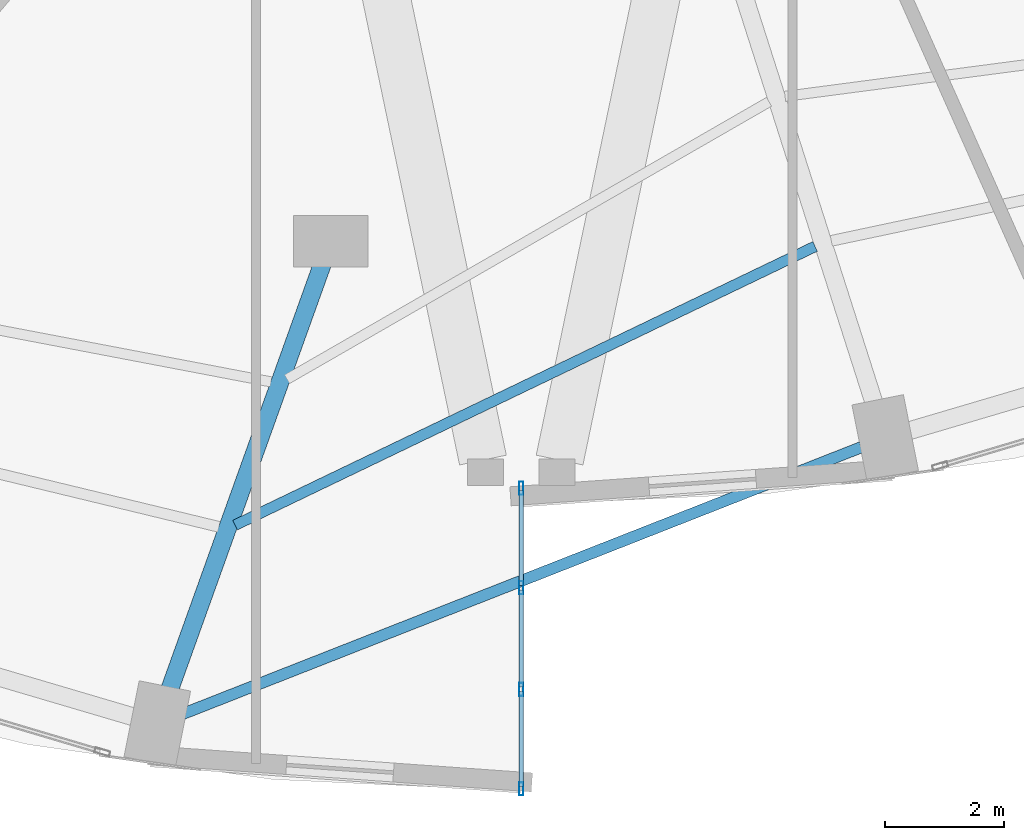
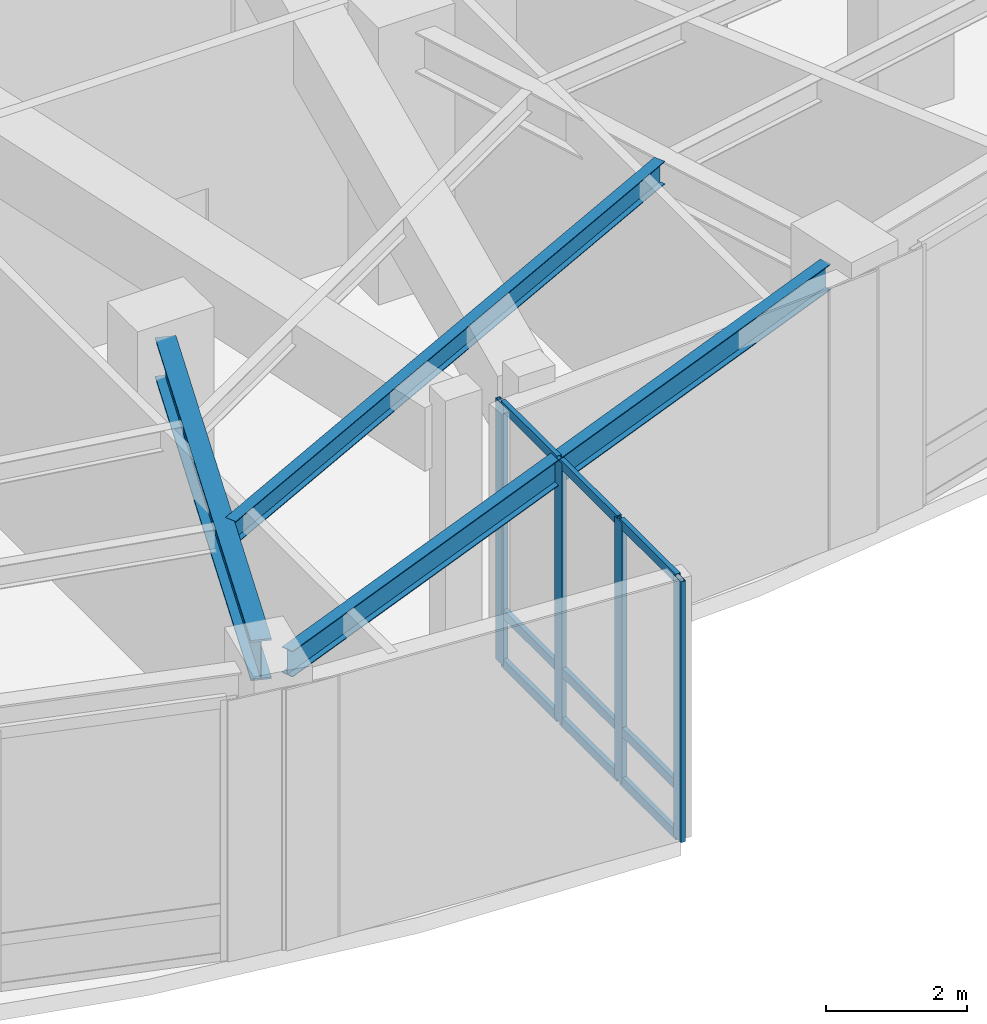
# One storey, part 4 of 24: 13 members, 3 beams, 1 element without a shape of its own.
"""IFC4 building model written with IfcOpenShell, lengths in metres."""

from ifc_helpers import new_model, si_unit, direction, frame, origin, origin_2d, place, context, subcontext, project, spatial, hollow_rectangle, i_section, extrude, material, layer, layer_set, material_profile, profile_set, type_object, element, aggregate, save


model = new_model("IFC4")

# Units and contexts
model_context = context("Model", 3, precision=1e-05, world=origin(), true_north=direction((0.0, 1.0)))
body_context = subcontext(model_context, "Body", "Model", "MODEL_VIEW")
ifc_project = project(units=[si_unit("LENGTHUNIT", "METRE"), si_unit("AREAUNIT", "SQUARE_METRE"), si_unit("VOLUMEUNIT", "CUBIC_METRE"), si_unit("PLANEANGLEUNIT", "RADIAN"), si_unit("MASSUNIT", "GRAM", prefix="KILO")], contexts=[model_context])

# Site, building, storey
site_placement = place(None, origin())
site = spatial("IfcSite", under=ifc_project, at=site_placement, CompositionType="ELEMENT")
building_placement = place(site_placement, origin())
building = spatial("IfcBuilding", under=site, at=building_placement, Name="Lazwardi Medical Tower", CompositionType="ELEMENT")
storey_placement = place(building_placement, frame((0.0, 0.0, 6.0)))
storey = spatial("IfcBuildingStorey", under=building, at=storey_placement, Name="L01", CompositionType="ELEMENT", Elevation=6.0)

# Beams
ifc_material_1 = material(Name="Steel S355", Category="steel")
ifc_material_profile_1 = material_profile(ifc_material_1, i_section(OverallWidth=0.300048828125, OverallDepth=0.699951171875, WebThickness=0.01708984375, FlangeThickness=0.031982421875, at=origin_2d()), Name="HEB 700")
ifc_profile_set_1 = profile_set([ifc_material_profile_1], Name="Steel S355")
beam_type_1 = type_object("IfcBeamType", Name="BM-RG-P1", PredefinedType="BEAM", material=ifc_profile_set_1)
beam_1_placement = place(storey_placement, frame((30.089599609375, 4.2744140625, 4.169921875), z_axis=(0.337851658054, 0.941199371627, 0.0), x_axis=(-0.941199371627, 0.337851658054, 0.0)))
element("IfcBeam", 1, at=beam_1_placement, inside=storey, type_object=beam_type_1, Name="Radial girder RG-01 R16A L01", PredefinedType="BEAM", context=body_context, shape_type="SweptSolid", body=[
    extrude(i_section(OverallWidth=0.300048828125, OverallDepth=0.699951171875, WebThickness=0.01708984375, FlangeThickness=0.031982421875, at=origin_2d()), origin(), (0.0, 0.0, 1.0), 7.622314453125),
])
ifc_material_profile_2 = material_profile(ifc_material_1, i_section(OverallWidth=0.179931640625, OverallDepth=0.39990234375, WebThickness=0.008544921875, FlangeThickness=0.013427734375, at=origin_2d()), Name="IPE 400")
ifc_profile_set_2 = profile_set([ifc_material_profile_2], Name="Steel S355")
beam_type_2 = type_object("IfcBeamType", Name="BM-SJ-01", PredefinedType="JOIST", material=ifc_profile_set_2)
beam_2_placement = place(storey_placement, frame((31.198974609375, 7.0634765625, 4.320068359375), z_axis=(0.901314400899, 0.433165500394, 0.0), x_axis=(-0.433165500394, 0.901314400899, 0.0)))
element("IfcBeam", 2, at=beam_2_placement, inside=storey, type_object=beam_type_2, Name="Secondary joist SJ-01 RO1 B16 L01", PredefinedType="JOIST", context=body_context, shape_type="SweptSolid", body=[
    extrude(i_section(OverallWidth=0.179931640625, OverallDepth=0.39990234375, WebThickness=0.008544921875, FlangeThickness=0.013427734375, at=origin_2d()), origin(), (0.0, 0.0, 1.0), 10.796142578125),
])
ifc_material_profile_3 = material_profile(ifc_material_1, i_section(OverallWidth=0.18994140625, OverallDepth=0.449951171875, WebThickness=0.009521484375, FlangeThickness=0.0146484375, at=origin_2d()), Name="IPE 450")
ifc_profile_set_3 = profile_set([ifc_material_profile_3], Name="Steel S355")
beam_type_3 = type_object("IfcBeamType", Name="BM-SP-01", PredefinedType="SPANDREL", material=ifc_profile_set_3)
beam_3_placement = place(storey_placement, frame((30.2939453125, 3.8857421875, 4.294921875), z_axis=(0.930695337123, 0.365795283536, 0.0), x_axis=(-0.365795283536, 0.930695337123, 0.0)))
element("IfcBeam", 3, at=beam_3_placement, inside=storey, type_object=beam_type_3, Name="Spandrel beam SP-01 B16 L01", PredefinedType="SPANDREL", context=body_context, shape_type="SweptSolid", body=[
    extrude(i_section(OverallWidth=0.18994140625, OverallDepth=0.449951171875, WebThickness=0.009521484375, FlangeThickness=0.0146484375, at=origin_2d()), origin(), (0.0, 0.0, 1.0), 12.261962890625),
])

# Curtain wall, members
ifc_material_2 = material(Name="Anodised bronze aluminium and solar control glazing", Category="aluminium")
ifc_layer = layer(ifc_material_2, 0.2099609375)
ifc_layer_set = layer_set([ifc_layer], Name="Anodised bronze aluminium and solar control glazing")
curtain_wall_type = type_object("IfcCurtainWallType", Name="CW-SYS-06", PredefinedType="NOTDEFINED", material=ifc_layer_set)
curtain_wall_placement = place(storey_placement, origin())
curtain_wall = element("IfcCurtainWall", 4, at=curtain_wall_placement, inside=storey, type_object=curtain_wall_type, Name="L01 Unitised bronze curtain wall CW-06", PredefinedType="NOTDEFINED")
ifc_material_3 = material(Name="Anodised bronze aluminium", Category="aluminium")
ifc_material_profile_4 = material_profile(ifc_material_3, hollow_rectangle(XDim=0.074951171875, YDim=0.219970703125, WallThickness=0.00390625, at=origin_2d()), Name="ALU-MULLION 220x75x4")
ifc_profile_set_4 = profile_set([ifc_material_profile_4], Name="Anodised bronze aluminium")
member_type_1 = type_object("IfcMemberType", Name="CW-MUL-01", PredefinedType="MULLION", material=ifc_profile_set_4)
member_1_placement = place(storey_placement, frame((36.0, 2.637451171875, 0.0), z_axis=(0.0, 0.0, 1.0), x_axis=(-1.0, 0.0, 0.0)))
member_1 = element("IfcMember", 5, at=member_1_placement, type_object=member_type_1, Name="CW-06 mullion 1", PredefinedType="MULLION", context=body_context, shape_type="SweptSolid", body=[
    extrude(hollow_rectangle(XDim=0.074951171875, YDim=0.219970703125, WallThickness=0.00390625, at=origin_2d()), origin(), (0.0, 0.0, 1.0), 4.52001953125),
])
member_2_placement = place(storey_placement, frame((36.0, 4.306640625, 0.0), z_axis=(0.0, 0.0, 1.0), x_axis=(-1.0, 0.0, 0.0)))
member_2 = element("IfcMember", 6, at=member_2_placement, type_object=member_type_1, Name="CW-06 mullion 2", PredefinedType="MULLION", context=body_context, shape_type="SweptSolid", body=[
    extrude(hollow_rectangle(XDim=0.074951171875, YDim=0.219970703125, WallThickness=0.00390625, at=origin_2d()), origin(), (0.0, 0.0, 1.0), 4.52001953125),
])
member_3_placement = place(storey_placement, frame((36.0, 6.013427734375, 0.0), z_axis=(0.0, 0.0, 1.0), x_axis=(-1.0, 0.0, 0.0)))
member_3 = element("IfcMember", 7, at=member_3_placement, type_object=member_type_1, Name="CW-06 mullion 3", PredefinedType="MULLION", context=body_context, shape_type="SweptSolid", body=[
    extrude(hollow_rectangle(XDim=0.074951171875, YDim=0.219970703125, WallThickness=0.00390625, at=origin_2d()), origin(), (0.0, 0.0, 1.0), 4.52001953125),
])
member_4_placement = place(storey_placement, frame((36.0, 7.6826171875, 0.0), z_axis=(0.0, 0.0, 1.0), x_axis=(-1.0, 0.0, 0.0)))
member_4 = element("IfcMember", 8, at=member_4_placement, type_object=member_type_1, Name="CW-06 mullion 4", PredefinedType="MULLION", context=body_context, shape_type="SweptSolid", body=[
    extrude(hollow_rectangle(XDim=0.074951171875, YDim=0.219970703125, WallThickness=0.00390625, at=origin_2d()), origin(), (0.0, 0.0, 1.0), 4.52001953125),
])
ifc_material_profile_5 = material_profile(ifc_material_3, hollow_rectangle(XDim=0.074951171875, YDim=0.159912109375, WallThickness=0.00390625, at=origin_2d()), Name="ALU-TRANSOM 160x75x4")
ifc_profile_set_5 = profile_set([ifc_material_profile_5], Name="Anodised bronze aluminium")
member_type_2 = type_object("IfcMemberType", Name="CW-TRN-01", PredefinedType="USERDEFINED", material=ifc_profile_set_5)
member_5_placement = place(storey_placement, frame((36.0, 2.675048828125, 0.03759765625), z_axis=(0.0, 1.0, 0.0), x_axis=(-1.0, 0.0, 0.0)))
member_5 = element("IfcMember", 9, at=member_5_placement, type_object=member_type_2, Name="CW-06 transom 1.1", ObjectType="TRANSOM", PredefinedType="USERDEFINED", context=body_context, shape_type="SweptSolid", body=[
    extrude(hollow_rectangle(XDim=0.074951171875, YDim=0.159912109375, WallThickness=0.00390625, at=origin_2d()), origin(), (0.0, 0.0, 1.0), 1.59423828125),
])
member_6_placement = place(storey_placement, frame((36.0, 2.675048828125, 0.89990234375), z_axis=(0.0, 1.0, 0.0), x_axis=(-1.0, 0.0, 0.0)))
member_6 = element("IfcMember", 10, at=member_6_placement, type_object=member_type_2, Name="CW-06 transom 1.2", ObjectType="TRANSOM", PredefinedType="USERDEFINED", context=body_context, shape_type="SweptSolid", body=[
    extrude(hollow_rectangle(XDim=0.074951171875, YDim=0.159912109375, WallThickness=0.00390625, at=origin_2d()), origin(), (0.0, 0.0, 1.0), 1.59423828125),
])
member_7_placement = place(storey_placement, frame((36.0, 2.675048828125, 4.482421875), z_axis=(0.0, 1.0, 0.0), x_axis=(-1.0, 0.0, 0.0)))
member_7 = element("IfcMember", 11, at=member_7_placement, type_object=member_type_2, Name="CW-06 transom 1.3", ObjectType="TRANSOM", PredefinedType="USERDEFINED", context=body_context, shape_type="SweptSolid", body=[
    extrude(hollow_rectangle(XDim=0.074951171875, YDim=0.159912109375, WallThickness=0.00390625, at=origin_2d()), origin(), (0.0, 0.0, 1.0), 1.59423828125),
])
member_8_placement = place(storey_placement, frame((36.0, 4.34423828125, 0.03759765625), z_axis=(0.0, 1.0, 0.0), x_axis=(-1.0, 0.0, 0.0)))
member_8 = element("IfcMember", 12, at=member_8_placement, type_object=member_type_2, Name="CW-06 transom 2.1", ObjectType="TRANSOM", PredefinedType="USERDEFINED", context=body_context, shape_type="SweptSolid", body=[
    extrude(hollow_rectangle(XDim=0.074951171875, YDim=0.159912109375, WallThickness=0.00390625, at=origin_2d()), origin(), (0.0, 0.0, 1.0), 1.631591796875),
])
member_9_placement = place(storey_placement, frame((36.0, 4.34423828125, 0.89990234375), z_axis=(0.0, 1.0, 0.0), x_axis=(-1.0, 0.0, 0.0)))
member_9 = element("IfcMember", 13, at=member_9_placement, type_object=member_type_2, Name="CW-06 transom 2.2", ObjectType="TRANSOM", PredefinedType="USERDEFINED", context=body_context, shape_type="SweptSolid", body=[
    extrude(hollow_rectangle(XDim=0.074951171875, YDim=0.159912109375, WallThickness=0.00390625, at=origin_2d()), origin(), (0.0, 0.0, 1.0), 1.631591796875),
])
member_10_placement = place(storey_placement, frame((36.0, 4.34423828125, 4.482421875), z_axis=(0.0, 1.0, 0.0), x_axis=(-1.0, 0.0, 0.0)))
member_10 = element("IfcMember", 14, at=member_10_placement, type_object=member_type_2, Name="CW-06 transom 2.3", ObjectType="TRANSOM", PredefinedType="USERDEFINED", context=body_context, shape_type="SweptSolid", body=[
    extrude(hollow_rectangle(XDim=0.074951171875, YDim=0.159912109375, WallThickness=0.00390625, at=origin_2d()), origin(), (0.0, 0.0, 1.0), 1.631591796875),
])
member_11_placement = place(storey_placement, frame((36.0, 6.05078125, 0.03759765625), z_axis=(0.0, 1.0, 0.0), x_axis=(-1.0, 0.0, 0.0)))
member_11 = element("IfcMember", 15, at=member_11_placement, type_object=member_type_2, Name="CW-06 transom 3.1", ObjectType="TRANSOM", PredefinedType="USERDEFINED", context=body_context, shape_type="SweptSolid", body=[
    extrude(hollow_rectangle(XDim=0.074951171875, YDim=0.159912109375, WallThickness=0.00390625, at=origin_2d()), origin(), (0.0, 0.0, 1.0), 1.59423828125),
])
member_12_placement = place(storey_placement, frame((36.0, 6.05078125, 0.89990234375), z_axis=(0.0, 1.0, 0.0), x_axis=(-1.0, 0.0, 0.0)))
member_12 = element("IfcMember", 16, at=member_12_placement, type_object=member_type_2, Name="CW-06 transom 3.2", ObjectType="TRANSOM", PredefinedType="USERDEFINED", context=body_context, shape_type="SweptSolid", body=[
    extrude(hollow_rectangle(XDim=0.074951171875, YDim=0.159912109375, WallThickness=0.00390625, at=origin_2d()), origin(), (0.0, 0.0, 1.0), 1.59423828125),
])
member_13_placement = place(storey_placement, frame((36.0, 6.05078125, 4.482421875), z_axis=(0.0, 1.0, 0.0), x_axis=(-1.0, 0.0, 0.0)))
member_13 = element("IfcMember", 17, at=member_13_placement, type_object=member_type_2, Name="CW-06 transom 3.3", ObjectType="TRANSOM", PredefinedType="USERDEFINED", context=body_context, shape_type="SweptSolid", body=[
    extrude(hollow_rectangle(XDim=0.074951171875, YDim=0.159912109375, WallThickness=0.00390625, at=origin_2d()), origin(), (0.0, 0.0, 1.0), 1.59423828125),
])
aggregate(curtain_wall, [member_1, member_2, member_3, member_4, member_5, member_6, member_7, member_8, member_9, member_10, member_11, member_12, member_13])

save(model, "model.ifc")
